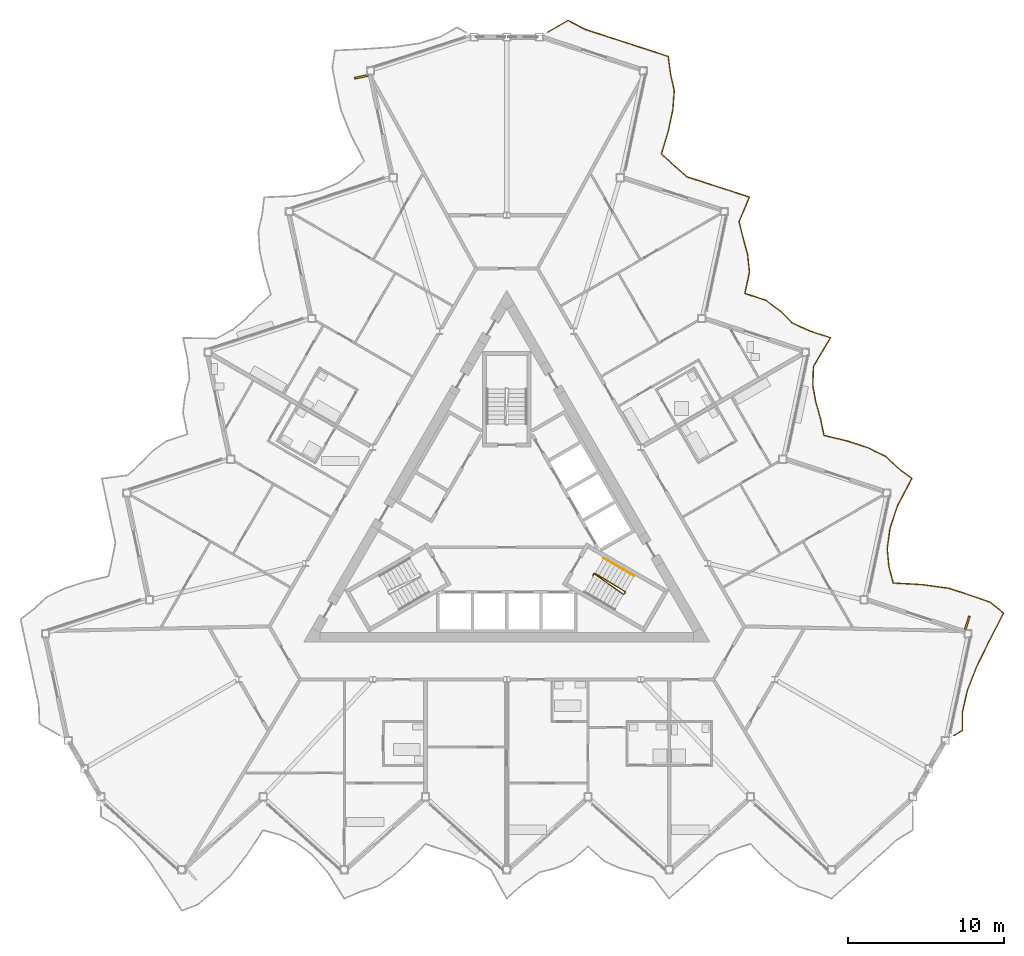
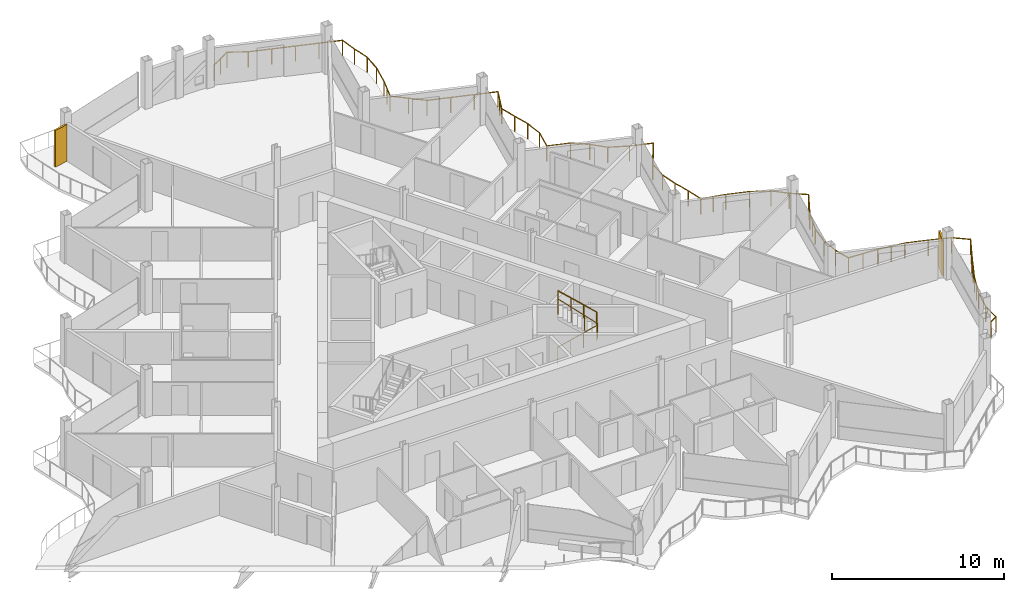
# One storey, part 23 of 25: 3 railings, 2 shading devices.
"""IFC4 building model written with IfcOpenShell, lengths in metres."""

from ifc_helpers import new_model, si_unit, direction, frame, origin, origin_2d, place, context, subcontext, project, spatial, rectangle, circle, extrude, material, layer, layer_set, type_object, element, save


model = new_model("IFC4")

# Units and contexts
model_context = context("Model", 3, precision=1e-05, world=origin(), true_north=direction((0.0, 1.0)))
body_context = subcontext(model_context, "Body", "Model", "MODEL_VIEW")
ifc_project = project(units=[si_unit("LENGTHUNIT", "METRE"), si_unit("AREAUNIT", "SQUARE_METRE"), si_unit("VOLUMEUNIT", "CUBIC_METRE"), si_unit("PLANEANGLEUNIT", "RADIAN"), si_unit("MASSUNIT", "GRAM", prefix="KILO")], contexts=[model_context])

# Site, building, storey
site_placement = place(None, origin())
site = spatial("IfcSite", under=ifc_project, at=site_placement, CompositionType="ELEMENT")
building_placement = place(site_placement, origin())
building = spatial("IfcBuilding", under=site, at=building_placement, Name="Cormorant Prow Tower", CompositionType="ELEMENT")
storey_placement = place(building_placement, frame((0.0, 0.0, 391.60009765625)))
storey = spatial("IfcBuildingStorey", under=building, at=storey_placement, Name="L89", CompositionType="ELEMENT", Elevation=391.60009765625)

# Railings
ifc_material_1 = material(Name="Aluminium 6063-T6", Category="aluminium")
railing_type_1 = type_object("IfcRailingType", Name="Balcony guard 1100", PredefinedType="GUARDRAIL", material=ifc_material_1)
railing_1_placement = place(storey_placement, frame((28.627197265625, -13.494384765625, 0.0)))
element("IfcRailing", 1, at=railing_1_placement, inside=storey, type_object=railing_type_1, Name="Balcony guard ENE", PredefinedType="GUARDRAIL", context=body_context, shape_type="SweptSolid", body=[
    extrude(circle(Radius=0.02392578125, at=origin_2d()), frame((0.0, 0.0, 1.076171875), z_axis=(0.865942655036, 0.500143297656, 0.0), x_axis=(-0.500143297656, 0.865942655036, 0.0)), (0.0, 0.0, 1.0), 0.635986328125),
    extrude(circle(Radius=0.02392578125, at=origin_2d()), frame((0.55078125, 0.318115234375, 1.076171875), z_axis=(0.003246736134, 0.999994729338, 0.0), x_axis=(-0.999994729338, 0.003246736134, 0.0)), (0.0, 0.0, 1.0), 1.203125),
    extrude(circle(Radius=0.02392578125, at=origin_2d()), frame((0.5546875, 1.521240234375, 1.076171875), z_axis=(0.221524312901, 0.975154848624, 0.0), x_axis=(-0.975154848624, 0.221524312901, 0.0)), (0.0, 0.0, 1.0), 1.417236328125),
    extrude(circle(Radius=0.02392578125, at=origin_2d()), frame((0.86865234375, 2.9033203125, 1.076171875), z_axis=(0.368297817719, 0.929707866732, 0.0), x_axis=(-0.929707866732, 0.368297817719, 0.0)), (0.0, 0.0, 1.0), 1.675048828125),
    extrude(circle(Radius=0.02392578125, at=origin_2d()), frame((1.485595703125, 4.460693359375, 1.076171875), z_axis=(0.441297230078, 0.897360994654, 0.0), x_axis=(-0.897360994654, 0.441297230078, 0.0)), (0.0, 0.0, 1.0), 1.8681640625),
    extrude(circle(Radius=0.02392578125, at=origin_2d()), frame((2.31005859375, 6.13720703125, 1.076171875), z_axis=(0.456107182791, 0.889924849528, 0.0), x_axis=(-0.889924849528, 0.456107182791, 0.0)), (0.0, 0.0, 1.0), 1.916748046875),
    extrude(circle(Radius=0.02392578125, at=origin_2d()), frame((3.184326171875, 7.843017578125, 1.076171875), z_axis=(-0.779264575455, 0.626695078519, 0.0), x_axis=(-0.626695078519, -0.779264575455, 0.0)), (0.0, 0.0, 1.0), 1.115234375),
    extrude(circle(Radius=0.02392578125, at=origin_2d()), frame((2.315185546875, 8.5419921875, 1.076171875), z_axis=(-0.944182179309, 0.32942375791, 0.0), x_axis=(-0.32942375791, -0.944182179309, 0.0)), (0.0, 0.0, 1.0), 1.373291015625),
    extrude(circle(Radius=0.02392578125, at=origin_2d()), frame((1.0185546875, 8.994384765625, 1.076171875), z_axis=(-0.951012270488, 0.309153135811, 0.0), x_axis=(-0.309153135811, -0.951012270488, 0.0)), (0.0, 0.0, 1.0), 1.3994140625),
    extrude(circle(Radius=0.02392578125, at=origin_2d()), frame((-0.312255859375, 9.427001953125, 1.076171875), z_axis=(-0.990287694326, 0.139033386156, 0.0), x_axis=(-0.139033386156, -0.990287694326, 0.0)), (0.0, 0.0, 1.0), 1.689208984375),
    extrude(circle(Radius=0.02392578125, at=origin_2d()), frame((-1.985107421875, 9.661865234375, 1.076171875), z_axis=(-0.998435333848, 0.055918549018, 0.0), x_axis=(-0.055918549018, -0.998435333848, 0.0)), (0.0, 0.0, 1.0), 1.899169921875),
    extrude(circle(Radius=0.02392578125, at=origin_2d()), frame((-3.88134765625, 9.76806640625, 1.076171875), z_axis=(-0.254827773016, 0.966986456006, 0.0), x_axis=(-0.966986456006, -0.254827773016, 0.0)), (0.0, 0.0, 1.0), 1.077880859375),
    extrude(circle(Radius=0.02392578125, at=origin_2d()), frame((-4.156005859375, 10.810302734375, 1.076171875), z_axis=(-0.095232296058, 0.99545507673, 0.0), x_axis=(-0.99545507673, -0.095232296058, 0.0)), (0.0, 0.0, 1.0), 1.143310546875),
    extrude(circle(Radius=0.02392578125, at=origin_2d()), frame((-4.264892578125, 11.948486328125, 1.076171875), z_axis=(0.133088996454, 0.991104090912, 0.0), x_axis=(-0.991104090912, 0.133088996454, 0.0)), (0.0, 0.0, 1.0), 1.3134765625),
    extrude(circle(Radius=0.02392578125, at=origin_2d()), frame((-4.090087890625, 13.250244140625, 1.076171875), z_axis=(0.314823351211, 0.949150281848, 0.0), x_axis=(-0.949150281848, 0.314823351211, 0.0)), (0.0, 0.0, 1.0), 1.56494140625),
    extrude(circle(Radius=0.02392578125, at=origin_2d()), frame((-3.597412109375, 14.735595703125, 1.076171875), z_axis=(0.466040482137, 0.884763397191, 0.0), x_axis=(-0.884763397191, 0.466040482137, 0.0)), (0.0, 0.0, 1.0), 1.950439453125),
    extrude(circle(Radius=0.02392578125, at=origin_2d()), frame((-2.6884765625, 16.461181640625, 1.076171875), z_axis=(-0.800388265593, 0.599481963283, 0.0), x_axis=(-0.599481963283, -0.800388265593, 0.0)), (0.0, 0.0, 1.0), 1.13134765625),
    extrude(circle(Radius=0.02392578125, at=origin_2d()), frame((-3.593994140625, 17.139404296875, 1.076171875), z_axis=(-0.73222577482, 0.68106197566, 0.0), x_axis=(-0.68106197566, -0.73222577482, 0.0)), (0.0, 0.0, 1.0), 1.087890625),
    extrude(circle(Radius=0.02392578125, at=origin_2d()), frame((-4.390625, 17.88037109375, 1.076171875), z_axis=(-0.896834800016, 0.442365619686, 0.0), x_axis=(-0.442365619686, -0.896834800016, 0.0)), (0.0, 0.0, 1.0), 1.25048828125),
    extrude(circle(Radius=0.02392578125, at=origin_2d()), frame((-5.51220703125, 18.43359375, 1.076171875), z_axis=(-0.951080208938, 0.308944066403, 0.0), x_axis=(-0.308944066403, -0.951080208938, 0.0)), (0.0, 0.0, 1.0), 1.3994140625),
    extrude(circle(Radius=0.02392578125, at=origin_2d()), frame((-6.84326171875, 18.865966796875, 1.076171875), z_axis=(-0.972669271208, 0.232194937171, 0.0), x_axis=(-0.232194937171, -0.972669271208, 0.0)), (0.0, 0.0, 1.0), 1.512939453125),
    extrude(circle(Radius=0.02392578125, at=origin_2d()), frame((-8.31494140625, 19.21728515625, 1.076171875), z_axis=(-0.200911259632, 0.979609445521, 0.0), x_axis=(-0.979609445521, -0.200911259632, 0.0)), (0.0, 0.0, 1.0), 1.09619140625),
    extrude(circle(Radius=0.02392578125, at=origin_2d()), frame((-8.53515625, 20.291015625, 1.076171875), z_axis=(-0.276375820387, 0.961049637587, 0.0), x_axis=(-0.961049637587, -0.276375820387, 0.0)), (0.0, 0.0, 1.0), 1.071533203125),
    extrude(circle(Radius=0.02392578125, at=origin_2d()), frame((-8.831298828125, 21.32080078125, 1.076171875), z_axis=(-0.180441968509, 0.983585632266, 0.0), x_axis=(-0.983585632266, -0.180441968509, 0.0)), (0.0, 0.0, 1.0), 1.10400390625),
    extrude(circle(Radius=0.02392578125, at=origin_2d()), frame((-9.030517578125, 22.40673828125, 1.076171875), z_axis=(0.034647445682, 0.999399597012, 0.0), x_axis=(-0.999399597012, 0.034647445682, 0.0)), (0.0, 0.0, 1.0), 1.22607421875),
    extrude(circle(Radius=0.02392578125, at=origin_2d()), frame((-8.988037109375, 23.632080078125, 1.076171875), z_axis=(0.513790848368, 0.857915476101, 0.0), x_axis=(-0.857915476101, 0.513790848368, 0.0)), (0.0, 0.0, 1.0), 2.1396484375),
    extrude(circle(Radius=0.02392578125, at=origin_2d()), frame((-7.888671875, 25.4677734375, 1.076171875), z_axis=(-0.951012270488, 0.309153135811, 0.0), x_axis=(-0.309153135811, -0.951012270488, 0.0)), (0.0, 0.0, 1.0), 1.3994140625),
    extrude(circle(Radius=0.02392578125, at=origin_2d()), frame((-9.219482421875, 25.900390625, 1.076171875), z_axis=(-0.909940549423, 0.414738708727, 0.0), x_axis=(-0.414738708727, -0.909940549423, 0.0)), (0.0, 0.0, 1.0), 1.27734375),
    extrude(circle(Radius=0.02392578125, at=origin_2d()), frame((-10.3818359375, 26.43017578125, 1.076171875), z_axis=(-0.701861566252, 0.712313373325, 0.0), x_axis=(-0.712313373325, -0.701861566252, 0.0)), (0.0, 0.0, 1.0), 1.074462890625),
    extrude(circle(Radius=0.02392578125, at=origin_2d()), frame((-11.135986328125, 27.195556640625, 1.076171875), z_axis=(-0.801343624294, 0.598204309416, 0.0), x_axis=(-0.598204309416, -0.801343624294, 0.0)), (0.0, 0.0, 1.0), 1.132080078125),
    extrude(circle(Radius=0.02392578125, at=origin_2d()), frame((-12.043212890625, 27.872802734375, 1.076171875), z_axis=(-0.951080208938, 0.308944066403, 0.0), x_axis=(-0.308944066403, -0.951080208938, 0.0)), (0.0, 0.0, 1.0), 1.3994140625),
    extrude(circle(Radius=0.02392578125, at=origin_2d()), frame((-13.374267578125, 28.30517578125, 1.076171875), z_axis=(0.207944297815, 0.978140669335, 0.0), x_axis=(-0.978140669335, 0.207944297815, 0.0)), (0.0, 0.0, 1.0), 1.3994140625),
    extrude(circle(Radius=0.02392578125, at=origin_2d()), frame((-13.083251953125, 29.674072265625, 1.076171875), z_axis=(-0.105790569145, 0.994388432897, 0.0), x_axis=(-0.994388432897, -0.105790569145, 0.0)), (0.0, 0.0, 1.0), 1.1376953125),
    extrude(circle(Radius=0.02392578125, at=origin_2d()), frame((-13.20361328125, 30.805419921875, 1.076171875), z_axis=(-0.26459688208, 0.964359108421, 0.0), x_axis=(-0.964359108421, -0.26459688208, 0.0)), (0.0, 0.0, 1.0), 1.074951171875),
    extrude(circle(Radius=0.02392578125, at=origin_2d()), frame((-13.488037109375, 31.842041015625, 1.076171875), z_axis=(-0.241898439004, 0.970301574361, 0.0), x_axis=(-0.970301574361, -0.241898439004, 0.0)), (0.0, 0.0, 1.0), 1.08203125),
    extrude(circle(Radius=0.02392578125, at=origin_2d()), frame((-13.749755859375, 32.891845703125, 1.076171875), z_axis=(0.385484477142, 0.92271432084, 0.0), x_axis=(-0.92271432084, 0.385484477142, 0.0)), (0.0, 0.0, 1.0), 1.715087890625),
    extrude(circle(Radius=0.02392578125, at=origin_2d()), frame((-13.088623046875, 34.474365234375, 1.076171875), z_axis=(-0.951028941009, 0.309101849499, 0.0), x_axis=(-0.309101849499, -0.951028941009, 0.0)), (0.0, 0.0, 1.0), 1.399658203125),
    extrude(circle(Radius=0.02392578125, at=origin_2d()), frame((-14.419677734375, 34.906982421875, 1.076171875), z_axis=(-0.951063554534, 0.308995332064, 0.0), x_axis=(-0.308995332064, -0.951063554534, 0.0)), (0.0, 0.0, 1.0), 1.399169921875),
    extrude(circle(Radius=0.02392578125, at=origin_2d()), frame((-15.75048828125, 35.33935546875, 1.076171875), z_axis=(-0.951028941009, 0.309101849499, 0.0), x_axis=(-0.309101849499, -0.951028941009, 0.0)), (0.0, 0.0, 1.0), 1.399658203125),
    extrude(circle(Radius=0.02392578125, at=origin_2d()), frame((-17.08154296875, 35.77197265625, 1.076171875), z_axis=(-0.75285193499, 0.658189914829, 0.0), x_axis=(-0.658189914829, -0.75285193499, 0.0)), (0.0, 0.0, 1.0), 1.0986328125),
    extrude(circle(Radius=0.02392578125, at=origin_2d()), frame((-17.90869140625, 36.4951171875, 1.076171875), z_axis=(-0.745264642257, 0.666768785263, 0.0), x_axis=(-0.666768785263, -0.745264642257, 0.0)), (0.0, 0.0, 1.0), 1.0947265625),
    extrude(circle(Radius=0.02392578125, at=origin_2d()), frame((-18.724609375, 37.22509765625, 1.076171875), z_axis=(0.290203403988, 0.956964985939, 0.0), x_axis=(-0.956964985939, 0.290203403988, 0.0)), (0.0, 0.0, 1.0), 1.52099609375),
    extrude(circle(Radius=0.02392578125, at=origin_2d()), frame((-18.283203125, 38.6806640625, 1.076171875), z_axis=(0.207944297815, 0.978140669335, 0.0), x_axis=(-0.978140669335, 0.207944297815, 0.0)), (0.0, 0.0, 1.0), 1.3994140625),
    extrude(circle(Radius=0.02392578125, at=origin_2d()), frame((-17.9921875, 40.049560546875, 1.076171875), z_axis=(0.073192296724, 0.997317846877, 0.0), x_axis=(-0.997317846877, 0.073192296724, 0.0)), (0.0, 0.0, 1.0), 1.257568359375),
    extrude(circle(Radius=0.02392578125, at=origin_2d()), frame((-17.900146484375, 41.3037109375, 1.076171875), z_axis=(-0.220632483455, 0.975357015274, 0.0), x_axis=(-0.975357015274, -0.220632483455, 0.0)), (0.0, 0.0, 1.0), 1.0888671875),
    extrude(circle(Radius=0.02392578125, at=origin_2d()), frame((-18.140380859375, 42.36572265625, 1.076171875), z_axis=(-0.131694730589, 0.991290319702, 0.0), x_axis=(-0.991290319702, -0.131694730589, 0.0)), (0.0, 0.0, 1.0), 1.125244140625),
    extrude(circle(Radius=0.02392578125, at=origin_2d()), frame((-18.28857421875, 43.481201171875, 1.076171875), z_axis=(-0.951080208938, 0.308944066403, 0.0), x_axis=(-0.308944066403, -0.951080208938, 0.0)), (0.0, 0.0, 1.0), 1.3994140625),
    extrude(circle(Radius=0.02392578125, at=origin_2d()), frame((-19.61962890625, 43.91357421875, 1.076171875), z_axis=(-0.951012270488, 0.309153135811, 0.0), x_axis=(-0.309153135811, -0.951012270488, 0.0)), (0.0, 0.0, 1.0), 1.3994140625),
    extrude(circle(Radius=0.02392578125, at=origin_2d()), frame((-20.950439453125, 44.34619140625, 1.076171875), z_axis=(-0.951080208938, 0.308944066403, 0.0), x_axis=(-0.308944066403, -0.951080208938, 0.0)), (0.0, 0.0, 1.0), 1.3994140625),
    extrude(circle(Radius=0.02392578125, at=origin_2d()), frame((-22.281494140625, 44.778564453125, 1.076171875), z_axis=(-0.951063554534, 0.308995332064, 0.0), x_axis=(-0.308995332064, -0.951063554534, 0.0)), (0.0, 0.0, 1.0), 1.399169921875),
    extrude(circle(Radius=0.02392578125, at=origin_2d()), frame((-23.6123046875, 45.2109375, 1.076171875), z_axis=(-0.88287590135, 0.469606370075, 0.0), x_axis=(-0.469606370075, -0.88287590135, 0.0)), (0.0, 0.0, 1.0), 1.226318359375),
    extrude(circle(Radius=0.02392578125, at=origin_2d()), frame((-24.695068359375, 45.786865234375, 1.076171875), z_axis=(-0.866020997002, -0.500007632694, 0.0), x_axis=(0.500007632694, -0.866020997002, 0.0)), (0.0, 0.0, 1.0), 1.5068359375),
    extrude(circle(Radius=0.02099609375, at=origin_2d()), origin(), (0.0, 0.0, 1.0), 1.052001953125),
    extrude(circle(Radius=0.02099609375, at=origin_2d()), frame((0.55078125, 0.318115234375, 0.0)), (0.0, 0.0, 1.0), 1.052001953125),
    extrude(circle(Radius=0.02099609375, at=origin_2d()), frame((0.5546875, 1.521240234375, 0.0)), (0.0, 0.0, 1.0), 1.052001953125),
    extrude(circle(Radius=0.02099609375, at=origin_2d()), frame((0.86865234375, 2.9033203125, 0.0)), (0.0, 0.0, 1.0), 1.052001953125),
    extrude(circle(Radius=0.02099609375, at=origin_2d()), frame((1.17724609375, 3.68212890625, 0.0)), (0.0, 0.0, 1.0), 1.052001953125),
    extrude(circle(Radius=0.02099609375, at=origin_2d()), frame((1.485595703125, 4.460693359375, 0.0)), (0.0, 0.0, 1.0), 1.052001953125),
    extrude(circle(Radius=0.02099609375, at=origin_2d()), frame((1.89794921875, 5.298828125, 0.0)), (0.0, 0.0, 1.0), 1.052001953125),
    extrude(circle(Radius=0.02099609375, at=origin_2d()), frame((2.31005859375, 6.13720703125, 0.0)), (0.0, 0.0, 1.0), 1.052001953125),
    extrude(circle(Radius=0.02099609375, at=origin_2d()), frame((2.7470703125, 6.990234375, 0.0)), (0.0, 0.0, 1.0), 1.052001953125),
    extrude(circle(Radius=0.02099609375, at=origin_2d()), frame((3.184326171875, 7.843017578125, 0.0)), (0.0, 0.0, 1.0), 1.052001953125),
    extrude(circle(Radius=0.02099609375, at=origin_2d()), frame((2.315185546875, 8.5419921875, 0.0)), (0.0, 0.0, 1.0), 1.052001953125),
    extrude(circle(Radius=0.02099609375, at=origin_2d()), frame((1.0185546875, 8.994384765625, 0.0)), (0.0, 0.0, 1.0), 1.052001953125),
    extrude(circle(Radius=0.02099609375, at=origin_2d()), frame((-0.312255859375, 9.427001953125, 0.0)), (0.0, 0.0, 1.0), 1.052001953125),
    extrude(circle(Radius=0.02099609375, at=origin_2d()), frame((-1.148681640625, 9.54443359375, 0.0)), (0.0, 0.0, 1.0), 1.052001953125),
    extrude(circle(Radius=0.02099609375, at=origin_2d()), frame((-1.985107421875, 9.661865234375, 0.0)), (0.0, 0.0, 1.0), 1.052001953125),
    extrude(circle(Radius=0.02099609375, at=origin_2d()), frame((-2.93310546875, 9.71484375, 0.0)), (0.0, 0.0, 1.0), 1.052001953125),
    extrude(circle(Radius=0.02099609375, at=origin_2d()), frame((-3.88134765625, 9.76806640625, 0.0)), (0.0, 0.0, 1.0), 1.052001953125),
    extrude(circle(Radius=0.02099609375, at=origin_2d()), frame((-4.156005859375, 10.810302734375, 0.0)), (0.0, 0.0, 1.0), 1.052001953125),
    extrude(circle(Radius=0.02099609375, at=origin_2d()), frame((-4.264892578125, 11.948486328125, 0.0)), (0.0, 0.0, 1.0), 1.052001953125),
    extrude(circle(Radius=0.02099609375, at=origin_2d()), frame((-4.090087890625, 13.250244140625, 0.0)), (0.0, 0.0, 1.0), 1.052001953125),
    extrude(circle(Radius=0.02099609375, at=origin_2d()), frame((-3.84375, 13.992919921875, 0.0)), (0.0, 0.0, 1.0), 1.052001953125),
    extrude(circle(Radius=0.02099609375, at=origin_2d()), frame((-3.597412109375, 14.735595703125, 0.0)), (0.0, 0.0, 1.0), 1.052001953125),
    extrude(circle(Radius=0.02099609375, at=origin_2d()), frame((-3.14306640625, 15.598388671875, 0.0)), (0.0, 0.0, 1.0), 1.052001953125),
    extrude(circle(Radius=0.02099609375, at=origin_2d()), frame((-2.6884765625, 16.461181640625, 0.0)), (0.0, 0.0, 1.0), 1.052001953125),
    extrude(circle(Radius=0.02099609375, at=origin_2d()), frame((-3.593994140625, 17.139404296875, 0.0)), (0.0, 0.0, 1.0), 1.052001953125),
    extrude(circle(Radius=0.02099609375, at=origin_2d()), frame((-4.390625, 17.88037109375, 0.0)), (0.0, 0.0, 1.0), 1.052001953125),
    extrude(circle(Radius=0.02099609375, at=origin_2d()), frame((-5.51220703125, 18.43359375, 0.0)), (0.0, 0.0, 1.0), 1.052001953125),
    extrude(circle(Radius=0.02099609375, at=origin_2d()), frame((-6.84326171875, 18.865966796875, 0.0)), (0.0, 0.0, 1.0), 1.052001953125),
    extrude(circle(Radius=0.02099609375, at=origin_2d()), frame((-7.5791015625, 19.04150390625, 0.0)), (0.0, 0.0, 1.0), 1.052001953125),
    extrude(circle(Radius=0.02099609375, at=origin_2d()), frame((-8.31494140625, 19.21728515625, 0.0)), (0.0, 0.0, 1.0), 1.052001953125),
    extrude(circle(Radius=0.02099609375, at=origin_2d()), frame((-8.53515625, 20.291015625, 0.0)), (0.0, 0.0, 1.0), 1.052001953125),
    extrude(circle(Radius=0.02099609375, at=origin_2d()), frame((-8.831298828125, 21.32080078125, 0.0)), (0.0, 0.0, 1.0), 1.052001953125),
    extrude(circle(Radius=0.02099609375, at=origin_2d()), frame((-9.030517578125, 22.40673828125, 0.0)), (0.0, 0.0, 1.0), 1.052001953125),
    extrude(circle(Radius=0.02099609375, at=origin_2d()), frame((-8.988037109375, 23.632080078125, 0.0)), (0.0, 0.0, 1.0), 1.052001953125),
    extrude(circle(Radius=0.02099609375, at=origin_2d()), frame((-8.4384765625, 24.5498046875, 0.0)), (0.0, 0.0, 1.0), 1.052001953125),
    extrude(circle(Radius=0.02099609375, at=origin_2d()), frame((-7.888671875, 25.4677734375, 0.0)), (0.0, 0.0, 1.0), 1.052001953125),
    extrude(circle(Radius=0.02099609375, at=origin_2d()), frame((-9.219482421875, 25.900390625, 0.0)), (0.0, 0.0, 1.0), 1.052001953125),
    extrude(circle(Radius=0.02099609375, at=origin_2d()), frame((-10.3818359375, 26.43017578125, 0.0)), (0.0, 0.0, 1.0), 1.052001953125),
    extrude(circle(Radius=0.02099609375, at=origin_2d()), frame((-11.135986328125, 27.195556640625, 0.0)), (0.0, 0.0, 1.0), 1.052001953125),
    extrude(circle(Radius=0.02099609375, at=origin_2d()), frame((-12.043212890625, 27.872802734375, 0.0)), (0.0, 0.0, 1.0), 1.052001953125),
    extrude(circle(Radius=0.02099609375, at=origin_2d()), frame((-13.374267578125, 28.30517578125, 0.0)), (0.0, 0.0, 1.0), 1.052001953125),
    extrude(circle(Radius=0.02099609375, at=origin_2d()), frame((-13.083251953125, 29.674072265625, 0.0)), (0.0, 0.0, 1.0), 1.052001953125),
    extrude(circle(Radius=0.02099609375, at=origin_2d()), frame((-13.20361328125, 30.805419921875, 0.0)), (0.0, 0.0, 1.0), 1.052001953125),
    extrude(circle(Radius=0.02099609375, at=origin_2d()), frame((-13.488037109375, 31.842041015625, 0.0)), (0.0, 0.0, 1.0), 1.052001953125),
    extrude(circle(Radius=0.02099609375, at=origin_2d()), frame((-13.749755859375, 32.891845703125, 0.0)), (0.0, 0.0, 1.0), 1.052001953125),
    extrude(circle(Radius=0.02099609375, at=origin_2d()), frame((-13.419189453125, 33.68310546875, 0.0)), (0.0, 0.0, 1.0), 1.052001953125),
    extrude(circle(Radius=0.02099609375, at=origin_2d()), frame((-13.088623046875, 34.474365234375, 0.0)), (0.0, 0.0, 1.0), 1.052001953125),
    extrude(circle(Radius=0.02099609375, at=origin_2d()), frame((-14.419677734375, 34.906982421875, 0.0)), (0.0, 0.0, 1.0), 1.052001953125),
    extrude(circle(Radius=0.02099609375, at=origin_2d()), frame((-15.75048828125, 35.33935546875, 0.0)), (0.0, 0.0, 1.0), 1.052001953125),
    extrude(circle(Radius=0.02099609375, at=origin_2d()), frame((-17.08154296875, 35.77197265625, 0.0)), (0.0, 0.0, 1.0), 1.052001953125),
    extrude(circle(Radius=0.02099609375, at=origin_2d()), frame((-17.90869140625, 36.4951171875, 0.0)), (0.0, 0.0, 1.0), 1.052001953125),
    extrude(circle(Radius=0.02099609375, at=origin_2d()), frame((-18.724609375, 37.22509765625, 0.0)), (0.0, 0.0, 1.0), 1.052001953125),
    extrude(circle(Radius=0.02099609375, at=origin_2d()), frame((-18.50390625, 37.952880859375, 0.0)), (0.0, 0.0, 1.0), 1.052001953125),
    extrude(circle(Radius=0.02099609375, at=origin_2d()), frame((-18.283203125, 38.6806640625, 0.0)), (0.0, 0.0, 1.0), 1.052001953125),
    extrude(circle(Radius=0.02099609375, at=origin_2d()), frame((-17.9921875, 40.049560546875, 0.0)), (0.0, 0.0, 1.0), 1.052001953125),
    extrude(circle(Radius=0.02099609375, at=origin_2d()), frame((-17.900146484375, 41.3037109375, 0.0)), (0.0, 0.0, 1.0), 1.052001953125),
    extrude(circle(Radius=0.02099609375, at=origin_2d()), frame((-18.140380859375, 42.36572265625, 0.0)), (0.0, 0.0, 1.0), 1.052001953125),
    extrude(circle(Radius=0.02099609375, at=origin_2d()), frame((-18.28857421875, 43.481201171875, 0.0)), (0.0, 0.0, 1.0), 1.052001953125),
    extrude(circle(Radius=0.02099609375, at=origin_2d()), frame((-19.61962890625, 43.91357421875, 0.0)), (0.0, 0.0, 1.0), 1.052001953125),
    extrude(circle(Radius=0.02099609375, at=origin_2d()), frame((-20.950439453125, 44.34619140625, 0.0)), (0.0, 0.0, 1.0), 1.052001953125),
    extrude(circle(Radius=0.02099609375, at=origin_2d()), frame((-22.281494140625, 44.778564453125, 0.0)), (0.0, 0.0, 1.0), 1.052001953125),
    extrude(circle(Radius=0.02099609375, at=origin_2d()), frame((-23.6123046875, 45.2109375, 0.0)), (0.0, 0.0, 1.0), 1.052001953125),
    extrude(circle(Radius=0.02099609375, at=origin_2d()), frame((-24.695068359375, 45.786865234375, 0.0)), (0.0, 0.0, 1.0), 1.052001953125),
    extrude(circle(Radius=0.02099609375, at=origin_2d()), frame((-25.34765625, 45.41015625, 0.0)), (0.0, 0.0, 1.0), 1.052001953125),
    extrude(circle(Radius=0.02099609375, at=origin_2d()), frame((-26.0, 45.033447265625, 0.0)), (0.0, 0.0, 1.0), 1.052001953125),
])
ifc_material_2 = material(Name="Stainless steel", Category="steel")
railing_type_2 = type_object("IfcRailingType", Name="Stair guard 1100", PredefinedType="GUARDRAIL", material=ifc_material_2)
railing_2_placement = place(storey_placement, frame((5.510009765625, -3.267822265625, 0.0)))
element("IfcRailing", 2, at=railing_2_placement, inside=storey, type_object=railing_type_2, Name="L89 ST2 stair guard 1", PredefinedType="GUARDRAIL", context=body_context, shape_type="SweptSolid", body=[
    extrude(circle(Radius=0.02392578125, at=origin_2d()), frame((0.0, 0.0, 1.076171875), z_axis=(0.501036270542, 0.865426285481, 0.0), x_axis=(-0.865426285481, 0.501036270542, 0.0)), (0.0, 0.0, 1.0), 0.150146484375),
    extrude(circle(Radius=0.02392578125, at=origin_2d()), frame((0.0751953125, 0.1298828125, 1.076171875), z_axis=(0.658670593711, -0.461060875852, 0.594622500196), x_axis=(0.573455215813, 0.819236910458, 0.0)), (0.0, 0.0, 1.0), 2.85888671875),
    extrude(circle(Radius=0.02392578125, at=origin_2d()), frame((1.958251953125, -1.188232421875, 2.77587890625), z_axis=(0.695164929852, 0.718850276695, 0.0), x_axis=(-0.718850276695, 0.695164929852, 0.0)), (0.0, 0.0, 1.0), 0.2060546875),
    extrude(circle(Radius=0.02392578125, at=origin_2d()), frame((2.1015625, -1.0400390625, 2.77587890625), z_axis=(-0.686515364547, 0.416565300991, 0.595961411712), x_axis=(-0.518752825935, -0.854924268918, 0.0)), (0.0, 0.0, 1.0), 2.8525390625),
    extrude(circle(Radius=0.02099609375, at=origin_2d()), origin(), (0.0, 0.0, 1.0), 1.052001953125),
    extrude(circle(Radius=0.02099609375, at=origin_2d()), frame((0.0751953125, 0.1298828125, 0.0)), (0.0, 0.0, 1.0), 1.052001953125),
    extrude(circle(Radius=0.02099609375, at=origin_2d()), frame((0.702880859375, -0.3095703125, 0.566650390625)), (0.0, 0.0, 1.0), 1.052001953125),
    extrude(circle(Radius=0.02099609375, at=origin_2d()), frame((1.33056640625, -0.748779296875, 1.13330078125)), (0.0, 0.0, 1.0), 1.052001953125),
    extrude(circle(Radius=0.02099609375, at=origin_2d()), frame((1.958251953125, -1.188232421875, 1.699951171875)), (0.0, 0.0, 1.0), 1.052001953125),
    extrude(circle(Radius=0.02099609375, at=origin_2d()), frame((2.1015625, -1.0400390625, 1.699951171875)), (0.0, 0.0, 1.0), 1.052001953125),
    extrude(circle(Radius=0.02099609375, at=origin_2d()), frame((1.44873046875, -0.64404296875, 2.2666015625)), (0.0, 0.0, 1.0), 1.052001953125),
    extrude(circle(Radius=0.02099609375, at=origin_2d()), frame((0.796142578125, -0.247802734375, 2.833251953125)), (0.0, 0.0, 1.0), 1.052001953125),
    extrude(circle(Radius=0.02099609375, at=origin_2d()), frame((0.143310546875, 0.148193359375, 3.39990234375)), (0.0, 0.0, 1.0), 1.052001953125),
])
ifc_material_3 = material(Name="Stainless steel", Category="steel")
railing_type_3 = type_object("IfcRailingType", Name="Stair handrail 900", PredefinedType="HANDRAIL", material=ifc_material_3)
railing_3_placement = place(storey_placement, frame((8.15283203125, -3.2705078125, 1.888671875)))
element("IfcRailing", 3, at=railing_3_placement, inside=storey, type_object=railing_type_3, Name="L89 ST2 stair handrail 2", PredefinedType="HANDRAIL", context=body_context, shape_type="SweptSolid", body=[
    extrude(circle(Radius=0.02392578125, at=origin_2d()), frame((0.0, 0.0, 0.8759765625), z_axis=(-0.717940317343, 0.414446543626, 0.55928147047), x_axis=(-0.49994888933, -0.866054910533, 0.0)), (0.0, 0.0, 1.0), 2.7021484375),
    extrude(circle(Radius=0.02099609375, at=origin_2d()), origin(), (0.0, 0.0, 1.0), 0.851806640625),
    extrude(circle(Radius=0.02099609375, at=origin_2d()), frame((-0.646728515625, 0.373291015625, 0.503662109375)), (0.0, 0.0, 1.0), 0.851806640625),
    extrude(circle(Radius=0.02099609375, at=origin_2d()), frame((-1.293212890625, 0.74658203125, 1.007568359375)), (0.0, 0.0, 1.0), 0.851806640625),
    extrude(circle(Radius=0.02099609375, at=origin_2d()), frame((-1.93994140625, 1.119873046875, 1.51123046875)), (0.0, 0.0, 1.0), 0.851806640625),
])

# Shading devices
ifc_material_4 = material(Name="Terracotta", Category="masonry")
ifc_layer = layer(ifc_material_4, 0.1201171875)
ifc_layer_set = layer_set([ifc_layer], Name="Terracotta")
shading_device_type = type_object("IfcShadingDeviceType", Name="Terracotta baguette fin 120x900x2600", PredefinedType="USERDEFINED", material=ifc_layer_set)
for number, where, z_axis, x_axis, name in (
    (4, (29.48681640625, -6.2802734375, -0.000244140625), (0.0, 0.0, 1.0), (-0.951056492904, 0.309017066365, 0.0), "Baguette fin ENE01"),
    (5, (-9.3046875, 28.676513671875, -0.000244140625), (0.0, 0.0, 1.0), (0.207911620089, -0.978147615768, 0.0), "Baguette fin WNW01"),
):
    element("IfcShadingDevice", number, at=place(storey_placement, frame(where, z_axis=z_axis, x_axis=x_axis)), inside=storey, type_object=shading_device_type, Name=name, ObjectType="BAGUETTE", PredefinedType="USERDEFINED", context=body_context, shape_type="SweptSolid", body=[
        extrude(rectangle(XDim=0.1201171875, YDim=0.89990234375, at=origin_2d()), origin(), (0.0, 0.0, 1.0), 2.60009765625),
    ])

save(model, "model.ifc")
